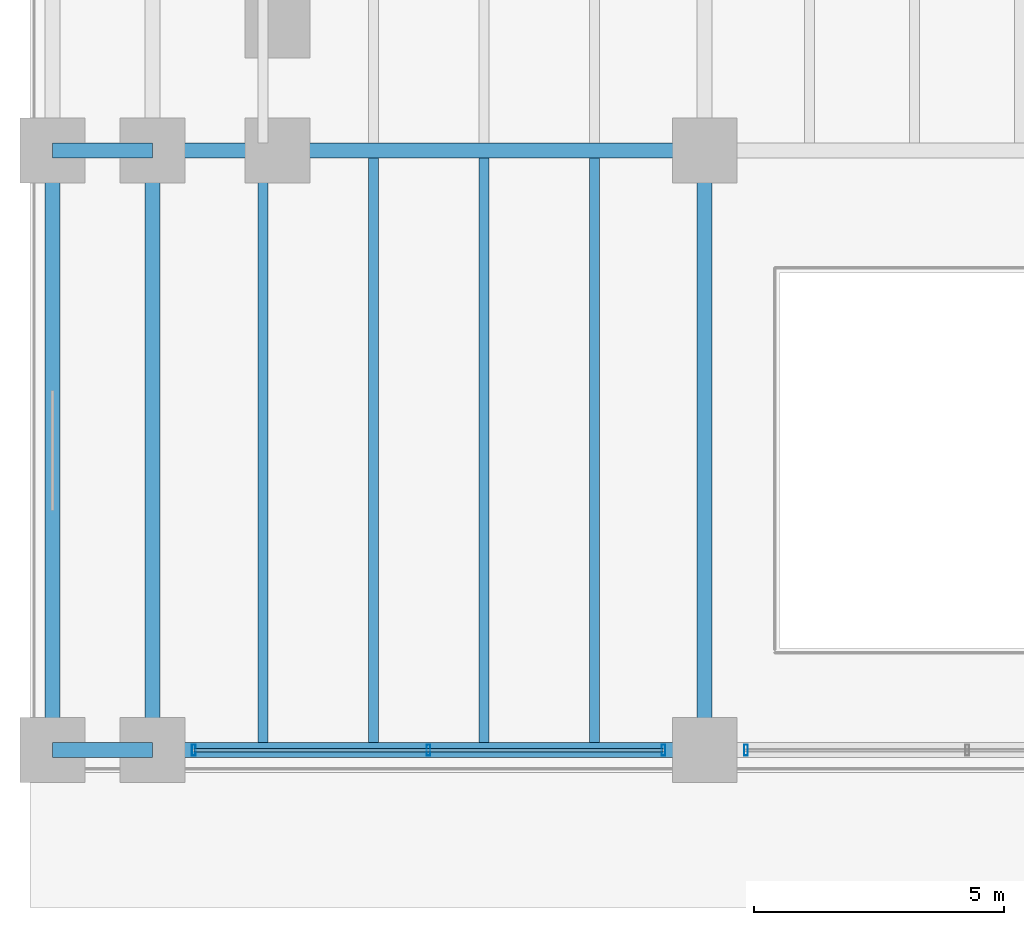
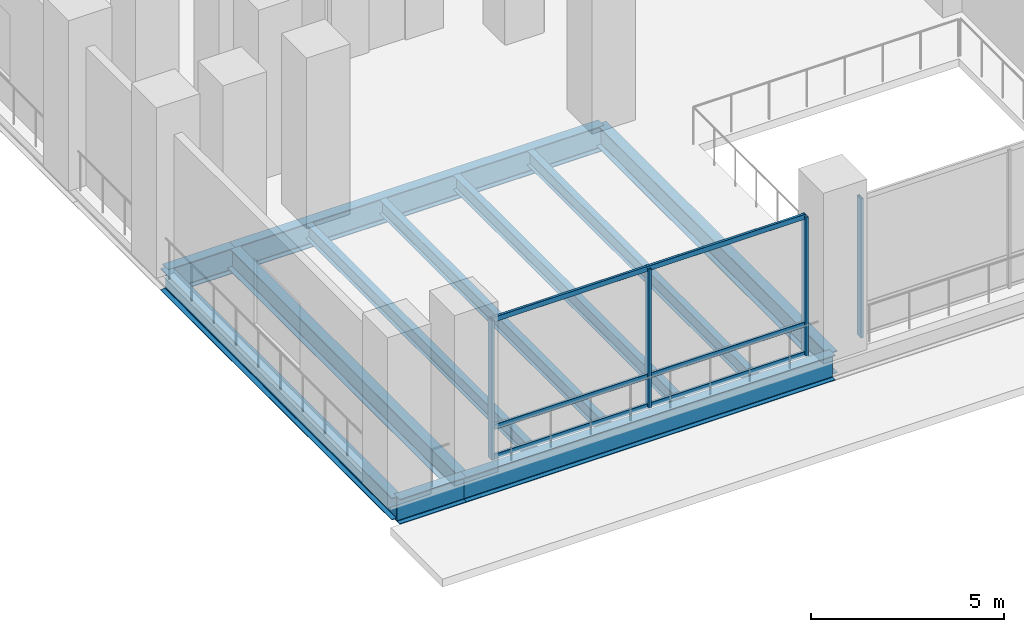
# One storey, part 4 of 32: 11 beams, 7 members, 2 elements without a shape of their own.
"""IFC4 building model written with IfcOpenShell, lengths in metres."""

import ifcopenshell
import ifcopenshell.guid

model = None  # the IFC model being written
_history = None  # IfcOwnerHistory: only IFC2X3 demands one
_inside = {}  # id of a spatial element -> (the spatial element, [elements in it])
_under = {}  # id of a project, library or spatial element -> (it, [spatial elements below it])
_declared = {}  # id of a project -> (the project, [libraries it declares])
_typed = {}  # id of a type object -> (the type object, [elements of that type])
_made_of = {}  # id of a material, layer set ... -> (it, [elements and type objects made of it])


def new_model(schema):
    """Start an empty IFC model of exactly this schema.

    Asked for "IFC4X3", IfcOpenShell would pick the latest addendum, in which some entities
    have other attributes; the version numbers below select the first issue.
    IFC2X3 requires an IfcOwnerHistory on every rooted entity: one is made here for all.
    """
    global model, _history
    if schema == "IFC4X3":
        model = ifcopenshell.file(schema_version=(4, 3, 0, 0))
    else:
        model = ifcopenshell.file(schema=schema)
    _inside.clear()
    _under.clear()
    _declared.clear()
    _typed.clear()
    _made_of.clear()
    _history = None
    if model.schema == "IFC2X3":
        org = make("IfcOrganization", Name="unknown")
        user = make(
            "IfcPersonAndOrganization",
            ThePerson=make("IfcPerson", FamilyName="unknown"),
            TheOrganization=org,
        )
        app = make(
            "IfcApplication",
            ApplicationDeveloper=org,
            Version="unknown",
            ApplicationFullName="unknown",
            ApplicationIdentifier="unknown",
        )
        _history = make(
            "IfcOwnerHistory",
            OwningUser=user,
            OwningApplication=app,
            ChangeAction="ADDED",
            CreationDate=0,
        )
    return model


def make(cls, **values):
    """One entity of the class cls with the attributes given. An attribute that is None is left unset."""
    return model.create_entity(
        cls, **{name: value for name, value in values.items() if value is not None}
    )


def rooted(cls, **values):
    """An entity with a GlobalId (a new one), such as an element, a storey or a relation."""
    return make(cls, GlobalId=ifcopenshell.guid.new(), OwnerHistory=_history, **values)


def si_unit(unit_type, name, prefix=None):
    """IfcSIUnit, for example si_unit("LENGTHUNIT", "METRE", prefix="MILLI")."""
    return make("IfcSIUnit", UnitType=unit_type, Prefix=prefix, Name=name)


def assignment(units):
    """IfcUnitAssignment: the units of a project."""
    return None if units is None else make("IfcUnitAssignment", Units=units)


def point(xyz):
    """IfcCartesianPoint."""
    return None if xyz is None else make("IfcCartesianPoint", Coordinates=xyz)


def direction(xyz):
    """IfcDirection."""
    return None if xyz is None else make("IfcDirection", DirectionRatios=xyz)


def frame(location, z_axis=None, x_axis=None):
    """IfcAxis2Placement3D, a coordinate frame: its origin and axes. An axis left out is left unset."""
    return make(
        "IfcAxis2Placement3D",
        Location=point(location),
        Axis=direction(z_axis),
        RefDirection=direction(x_axis),
    )


def frame_2d(location, x_axis=None):
    """IfcAxis2Placement2D, a coordinate frame in the plane: its origin and x axis."""
    return make(
        "IfcAxis2Placement2D", Location=point(location), RefDirection=direction(x_axis)
    )


def origin():
    """The frame at (0, 0, 0) with its axes left unset."""
    return frame((0.0, 0.0, 0.0))


def origin_2d():
    """The frame at (0, 0) in the plane with its x axis left unset."""
    return frame_2d((0.0, 0.0))


def place(relative_to, where):
    """IfcLocalPlacement: puts the frame where relative to a parent placement (None: the world)."""
    return make(
        "IfcLocalPlacement", PlacementRelTo=relative_to, RelativePlacement=where
    )


def context(
    kind, dimensions, precision=None, world=None, true_north=None, identifier=None
):
    """IfcGeometricRepresentationContext, for example the 3D "Model" context."""
    return make(
        "IfcGeometricRepresentationContext",
        ContextIdentifier=identifier,
        ContextType=kind,
        CoordinateSpaceDimension=dimensions,
        Precision=precision,
        WorldCoordinateSystem=world,
        TrueNorth=true_north,
    )


def subcontext(parent, identifier, kind, view, scale=None):
    """IfcGeometricRepresentationSubContext, for example "Body" below "Model"."""
    return make(
        "IfcGeometricRepresentationSubContext",
        ContextIdentifier=identifier,
        ContextType=kind,
        ParentContext=parent,
        TargetScale=scale,
        TargetView=view,
    )


def project(units=None, contexts=None):
    """IfcProject with its units and contexts."""
    return rooted(
        "IfcProject",
        Name="project",
        RepresentationContexts=contexts,
        UnitsInContext=assignment(units),
    )


def spatial(cls, under=None, at=None, **own):
    """A site, building, storey or space (cls), placed at a placement, below another one or the project."""
    s = rooted(cls, ObjectPlacement=at, **own)
    if under is not None:
        _under.setdefault(under.id(), (under, []))[1].append(s)
    return s


def profile(cls, at=None, kind="AREA", **sizes):
    """A parametric profile (cls). Its sizes go by their IFC names, for example OverallWidth=200.0."""
    return make(cls, ProfileType=kind, Position=at, **sizes)


def hollow_rectangle(**sizes):
    """IfcRectangleHollowProfileDef."""
    return profile("IfcRectangleHollowProfileDef", **sizes)


def i_section(**sizes):
    """IfcIShapeProfileDef."""
    return profile("IfcIShapeProfileDef", **sizes)


def extrude(swept, where, along, depth):
    """IfcExtrudedAreaSolid: the profile swept, set in the frame where, extruded along a direction by depth."""
    return make(
        "IfcExtrudedAreaSolid",
        SweptArea=swept,
        Position=where,
        ExtrudedDirection=direction(along),
        Depth=depth,
    )


def shape(context_of_items, identifier, shape_type, items):
    """IfcShapeRepresentation: the items that make up one representation, for example the "Body"."""
    return make(
        "IfcShapeRepresentation",
        ContextOfItems=context_of_items,
        RepresentationIdentifier=identifier,
        RepresentationType=shape_type,
        Items=items,
    )


def material(Name=None, Category=None):
    """IfcMaterial."""
    return make("IfcMaterial", Name=Name, Category=Category)


def material_profile(
    of_material, cross_section, Name=None, Category=None, Priority=None
):
    """IfcMaterialProfile: a cross section and its material."""
    return make(
        "IfcMaterialProfile",
        Name=Name,
        Material=of_material,
        Profile=cross_section,
        Priority=Priority,
        Category=Category,
    )


def profile_set(profiles, Name=None, composite=None):
    """IfcMaterialProfileSet."""
    return make(
        "IfcMaterialProfileSet",
        Name=Name,
        MaterialProfiles=profiles,
        CompositeProfile=composite,
    )


def made_of(thing, what):
    """Note that an element or type object is made of a material, layer set ...; save() writes the relation."""
    if what is not None:
        _made_of.setdefault(what.id(), (what, []))[1].append(thing)
    return thing


def type_object(cls, material=None, **own):
    """A type object (cls), such as IfcWallType, which elements share."""
    return made_of(rooted(cls, **own), material)


def element(
    cls,
    number,
    at=None,
    inside=None,
    cuts=None,
    type_object=None,
    material=None,
    context=None,
    identifier="Body",
    shape_type=None,
    held_by="IfcProductDefinitionShape",
    body=None,
    shapes=None,
    **own,
):
    """One element of the class cls, such as IfcWall. Its Tag is "e" and its number.

    at: its placement. inside: the storey or other place that contains it. cuts: it is an
    opening in that element (IfcRelVoidsElement). A single representation is given by context,
    identifier, shape_type and body (its items); several are given by shapes. held_by: the class
    of the entity that holds the representations. save() writes the other relations.
    """
    e = rooted(cls, Tag="e%d" % number, ObjectPlacement=at, **own)
    if body is not None:
        shapes = [shape(context, identifier, shape_type, body)]
    if shapes is not None:
        e.Representation = make(held_by, Representations=shapes)
    if inside is not None:
        _inside.setdefault(inside.id(), (inside, []))[1].append(e)
    if cuts is not None:
        rooted(
            "IfcRelVoidsElement", RelatingBuildingElement=cuts, RelatedOpeningElement=e
        )
    if type_object is not None:
        _typed.setdefault(type_object.id(), (type_object, []))[1].append(e)
    return made_of(e, material)


def aggregate(whole, parts):
    """IfcRelAggregates: a whole, such as a stair, and the parts it consists of."""
    return rooted("IfcRelAggregates", RelatingObject=whole, RelatedObjects=parts)


def save(model, path):
    """Write the relations noted so far, then the file.

    IfcRelAggregates (storeys below a building ...), IfcRelContainedInSpatialStructure (elements
    in a storey), IfcRelDefinesByType, IfcRelAssociatesMaterial and IfcRelDeclares: one each for
    every whole, place, type object, material and project.
    """
    for whole, parts in _under.values():
        aggregate(whole, parts)
    for where, things in _inside.values():
        rooted(
            "IfcRelContainedInSpatialStructure",
            RelatedElements=things,
            RelatingStructure=where,
        )
    for kind, things in _typed.values():
        rooted("IfcRelDefinesByType", RelatedObjects=things, RelatingType=kind)
    for what, things in _made_of.values():
        rooted("IfcRelAssociatesMaterial", RelatedObjects=things, RelatingMaterial=what)
    for by, libraries in _declared.values():
        rooted("IfcRelDeclares", RelatingContext=by, RelatedDefinitions=libraries)
    model.write(path)


model = new_model("IFC4")

# Units and contexts
model_context = context("Model", 3, precision=1e-05, world=origin(), true_north=direction((0.0, 1.0)))
body_context = subcontext(model_context, "Body", "Model", "MODEL_VIEW")
ifc_project = project(units=[si_unit("LENGTHUNIT", "METRE"), si_unit("AREAUNIT", "SQUARE_METRE"), si_unit("VOLUMEUNIT", "CUBIC_METRE"), si_unit("PLANEANGLEUNIT", "RADIAN"), si_unit("MASSUNIT", "GRAM", prefix="KILO")], contexts=[model_context])

# Site, building, storey
site_placement = place(None, origin())
site = spatial("IfcSite", under=ifc_project, at=site_placement, CompositionType="ELEMENT")
building_placement = place(site_placement, origin())
building = spatial("IfcBuilding", under=site, at=building_placement, Name="Noeulbin Bourse Tower", CompositionType="ELEMENT")
storey_placement = place(building_placement, frame((0.0, 0.0, 5.800048828125)))
storey = spatial("IfcBuildingStorey", under=building, at=storey_placement, Name="L02", CompositionType="ELEMENT", Elevation=5.800048828125)

# Beams
ifc_material_1 = material(Name="Steel S355", Category="steel")
ifc_material_profile_1 = material_profile(ifc_material_1, i_section(OverallWidth=0.300048828125, OverallDepth=0.699951171875, WebThickness=0.012939453125, FlangeThickness=0.02392578125, FilletRadius=0.02392578125, at=origin_2d()), Name="H-700x300x13x24", Category="LoadBearing")
ifc_profile_set_1 = profile_set([ifc_material_profile_1], Name="Steel S355")
beam_type_1 = type_object("IfcBeamType", Name="BM-GRD-700", PredefinedType="USERDEFINED", material=ifc_profile_set_1)
for number, where, z_axis, x_axis, name in (
    (1, (0.449951171875, 3.449951171875, -0.60009765625), (0.0, 1.0, 0.0), (-1.0, 0.0, 0.0), "Podium Primary Girder NS L02-057"),
    (2, (2.449951171875, 3.449951171875, -0.60009765625), (0.0, 1.0, 0.0), (-1.0, 0.0, 0.0), "Podium Primary Girder NS L02-063"),
    (3, (13.5, 3.449951171875, -0.60009765625), (0.0, 1.0, 0.0), (-1.0, 0.0, 0.0), "Podium Primary Girder NS L02-069"),
):
    element("IfcBeam", number, at=place(storey_placement, frame(where, z_axis=z_axis, x_axis=x_axis)), inside=storey, type_object=beam_type_1, Name=name, ObjectType="GIRDER", PredefinedType="USERDEFINED", context=body_context, shape_type="SweptSolid", body=[
        extrude(i_section(OverallWidth=0.300048828125, OverallDepth=0.699951171875, WebThickness=0.012939453125, FlangeThickness=0.02392578125, FilletRadius=0.02392578125, at=origin_2d()), origin(), (0.0, 0.0, 1.0), 12.0),
    ])
ifc_material_profile_2 = material_profile(ifc_material_1, i_section(OverallWidth=0.300048828125, OverallDepth=0.800048828125, WebThickness=0.013916015625, FlangeThickness=0.02587890625, FilletRadius=0.02587890625, at=origin_2d()), Name="H-800x300x14x26", Category="LoadBearing")
ifc_profile_set_2 = profile_set([ifc_material_profile_2], Name="Steel S355")
beam_type_2 = type_object("IfcBeamType", Name="BM-GRD-800", PredefinedType="USERDEFINED", material=ifc_profile_set_2)
beam_1_placement = place(storey_placement, frame((0.449951171875, 3.449951171875, -0.650146484375), z_axis=(1.0, 0.0, 0.0), x_axis=(0.0, 1.0, 0.0)))
element("IfcBeam", 4, at=beam_1_placement, inside=storey, type_object=beam_type_2, Name="Podium Primary Girder EW L02-001", ObjectType="GIRDER", PredefinedType="USERDEFINED", context=body_context, shape_type="SweptSolid", body=[
    extrude(i_section(OverallWidth=0.300048828125, OverallDepth=0.800048828125, WebThickness=0.013916015625, FlangeThickness=0.02587890625, FilletRadius=0.02587890625, at=origin_2d()), origin(), (0.0, 0.0, 1.0), 2.0),
])
beam_2_placement = place(storey_placement, frame((2.449951171875, 3.449951171875, -0.650146484375), z_axis=(1.0, 0.0, 0.0), x_axis=(0.0, 1.0, 0.0)))
element("IfcBeam", 5, at=beam_2_placement, inside=storey, type_object=beam_type_2, Name="Podium Primary Girder EW L02-002", ObjectType="GIRDER", PredefinedType="USERDEFINED", context=body_context, shape_type="SweptSolid", body=[
    extrude(i_section(OverallWidth=0.300048828125, OverallDepth=0.800048828125, WebThickness=0.013916015625, FlangeThickness=0.02587890625, FilletRadius=0.02587890625, at=origin_2d()), origin(), (0.0, 0.0, 1.0), 11.050048828125),
])
beam_3_placement = place(storey_placement, frame((0.449951171875, 15.449951171875, -0.650146484375), z_axis=(1.0, 0.0, 0.0), x_axis=(0.0, 1.0, 0.0)))
element("IfcBeam", 6, at=beam_3_placement, inside=storey, type_object=beam_type_2, Name="Podium Primary Girder EW L02-009", ObjectType="GIRDER", PredefinedType="USERDEFINED", context=body_context, shape_type="SweptSolid", body=[
    extrude(i_section(OverallWidth=0.300048828125, OverallDepth=0.800048828125, WebThickness=0.013916015625, FlangeThickness=0.02587890625, FilletRadius=0.02587890625, at=origin_2d()), origin(), (0.0, 0.0, 1.0), 2.0),
])
beam_4_placement = place(storey_placement, frame((2.449951171875, 15.449951171875, -0.650146484375), z_axis=(1.0, 0.0, 0.0), x_axis=(0.0, 1.0, 0.0)))
element("IfcBeam", 7, at=beam_4_placement, inside=storey, type_object=beam_type_2, Name="Podium Primary Girder EW L02-010", ObjectType="GIRDER", PredefinedType="USERDEFINED", context=body_context, shape_type="SweptSolid", body=[
    extrude(i_section(OverallWidth=0.300048828125, OverallDepth=0.800048828125, WebThickness=0.013916015625, FlangeThickness=0.02587890625, FilletRadius=0.02587890625, at=origin_2d()), origin(), (0.0, 0.0, 1.0), 11.050048828125),
])
ifc_material_profile_3 = material_profile(ifc_material_1, i_section(OverallWidth=0.199951171875, OverallDepth=0.449951171875, WebThickness=0.009033203125, FlangeThickness=0.013916015625, FilletRadius=0.01806640625, at=origin_2d()), Name="H-450x200x9x14", Category="LoadBearing")
ifc_profile_set_3 = profile_set([ifc_material_profile_3], Name="Steel S355")
beam_type_3 = type_object("IfcBeamType", Name="BM-SEC-450", PredefinedType="BEAM", material=ifc_profile_set_3)
for number, where, z_axis, x_axis, name in (
    (8, (4.659912109375, 3.60009765625, -0.47509765625), (0.0, 1.0, 0.0), (-1.0, 0.0, 0.0), "Podium Secondary Beam L02-001"),
    (9, (6.8701171875, 3.60009765625, -0.47509765625), (0.0, 1.0, 0.0), (-1.0, 0.0, 0.0), "Podium Secondary Beam L02-007"),
    (10, (9.080078125, 3.60009765625, -0.47509765625), (0.0, 1.0, 0.0), (-1.0, 0.0, 0.0), "Podium Secondary Beam L02-013"),
    (11, (11.2900390625, 3.60009765625, -0.47509765625), (0.0, 1.0, 0.0), (-1.0, 0.0, 0.0), "Podium Secondary Beam L02-018"),
):
    element("IfcBeam", number, at=place(storey_placement, frame(where, z_axis=z_axis, x_axis=x_axis)), inside=storey, type_object=beam_type_3, Name=name, PredefinedType="BEAM", context=body_context, shape_type="SweptSolid", body=[
        extrude(i_section(OverallWidth=0.199951171875, OverallDepth=0.449951171875, WebThickness=0.009033203125, FlangeThickness=0.013916015625, FilletRadius=0.01806640625, at=origin_2d()), origin(), (0.0, 0.0, 1.0), 11.699951171875),
    ])

# Curtain wall, members
ifc_material_2 = material(Name="Laminated Clear Low-E Glass", Category="glass")
curtain_wall_type = type_object("IfcCurtainWallType", Name="CW-SYS-1", PredefinedType="NOTDEFINED", material=ifc_material_2)
curtain_wall_1_placement = place(storey_placement, origin())
curtain_wall_1 = element("IfcCurtainWall", 12, at=curtain_wall_1_placement, inside=storey, type_object=curtain_wall_type, Name="Unitised Curtain Wall CW-L02-POD-S-S1", PredefinedType="NOTDEFINED")
ifc_material_3 = material(Name="Anodised Aluminium 6063-T6", Category="aluminium")
ifc_material_profile_4 = material_profile(ifc_material_3, hollow_rectangle(XDim=0.074951171875, YDim=0.219970703125, WallThickness=0.0048828125, InnerFilletRadius=0.00244140625, OuterFilletRadius=0.0048828125, at=origin_2d()), Name="ALU-MULL-75x220x5", Category="LoadBearing")
ifc_profile_set_4 = profile_set([ifc_material_profile_4], Name="Anodised Aluminium 6063-T6")
member_type_1 = type_object("IfcMemberType", Name="CW-SYS-1-MUL", PredefinedType="MULLION", material=ifc_profile_set_4)
member_1_placement = place(storey_placement, frame((3.27490234375, 3.449951171875, -0.02001953125), z_axis=(0.0, 0.0, 1.0), x_axis=(1.0, 0.0, 0.0)))
member_1 = element("IfcMember", 13, at=member_1_placement, type_object=member_type_1, Name="Curtain Wall Mullion CW-L02-POD-S-S1-M00", PredefinedType="MULLION", context=body_context, shape_type="SweptSolid", body=[
    extrude(hollow_rectangle(XDim=0.074951171875, YDim=0.219970703125, WallThickness=0.0048828125, InnerFilletRadius=0.00244140625, OuterFilletRadius=0.0048828125, at=origin_2d()), origin(), (0.0, 0.0, 1.0), 4.409912109375),
])
member_2_placement = place(storey_placement, frame((7.97509765625, 3.449951171875, -0.02001953125), z_axis=(0.0, 0.0, 1.0), x_axis=(1.0, 0.0, 0.0)))
member_2 = element("IfcMember", 14, at=member_2_placement, type_object=member_type_1, Name="Curtain Wall Mullion CW-L02-POD-S-S1-M01", PredefinedType="MULLION", context=body_context, shape_type="SweptSolid", body=[
    extrude(hollow_rectangle(XDim=0.074951171875, YDim=0.219970703125, WallThickness=0.0048828125, InnerFilletRadius=0.00244140625, OuterFilletRadius=0.0048828125, at=origin_2d()), origin(), (0.0, 0.0, 1.0), 4.409912109375),
])
member_3_placement = place(storey_placement, frame((12.675048828125, 3.449951171875, -0.02001953125), z_axis=(0.0, 0.0, 1.0), x_axis=(1.0, 0.0, 0.0)))
member_3 = element("IfcMember", 15, at=member_3_placement, type_object=member_type_1, Name="Curtain Wall Mullion CW-L02-POD-S-S1-M02", PredefinedType="MULLION", context=body_context, shape_type="SweptSolid", body=[
    extrude(hollow_rectangle(XDim=0.074951171875, YDim=0.219970703125, WallThickness=0.0048828125, InnerFilletRadius=0.00244140625, OuterFilletRadius=0.0048828125, at=origin_2d()), origin(), (0.0, 0.0, 1.0), 4.409912109375),
])

# Curtain wall, member
curtain_wall_2_placement = place(storey_placement, origin())
curtain_wall_2 = element("IfcCurtainWall", 16, at=curtain_wall_2_placement, inside=storey, type_object=curtain_wall_type, Name="Unitised Curtain Wall CW-L02-POD-S-S2", PredefinedType="NOTDEFINED")
member_4_placement = place(storey_placement, frame((14.324951171875, 3.449951171875, -0.02001953125), z_axis=(0.0, 0.0, 1.0), x_axis=(1.0, 0.0, 0.0)))
member_4 = element("IfcMember", 17, at=member_4_placement, type_object=member_type_1, Name="Curtain Wall Mullion CW-L02-POD-S-S2-M00", PredefinedType="MULLION", context=body_context, shape_type="SweptSolid", body=[
    extrude(hollow_rectangle(XDim=0.074951171875, YDim=0.219970703125, WallThickness=0.0048828125, InnerFilletRadius=0.00244140625, OuterFilletRadius=0.0048828125, at=origin_2d()), origin(), (0.0, 0.0, 1.0), 4.409912109375),
])
aggregate(curtain_wall_2, [member_4])

# Member
ifc_material_profile_5 = material_profile(ifc_material_3, hollow_rectangle(XDim=0.074951171875, YDim=0.159912109375, WallThickness=0.0048828125, InnerFilletRadius=0.00244140625, OuterFilletRadius=0.0048828125, at=origin_2d()), Name="ALU-TRAN-75x160x5", Category="LoadBearing")
ifc_profile_set_5 = profile_set([ifc_material_profile_5], Name="Anodised Aluminium 6063-T6")
member_type_2 = type_object("IfcMemberType", Name="CW-SYS-1-TRN", PredefinedType="USERDEFINED", material=ifc_profile_set_5)
member_5_placement = place(storey_placement, frame((3.284912109375, 3.449951171875, 0.010009765625), z_axis=(1.0, 0.0, 0.0), x_axis=(0.0, 1.0, 0.0)))
member_5 = element("IfcMember", 18, at=member_5_placement, type_object=member_type_2, Name="Curtain Wall Transom CW-L02-POD-S-S1-T00", ObjectType="TRANSOM", PredefinedType="USERDEFINED", context=body_context, shape_type="SweptSolid", body=[
    extrude(hollow_rectangle(XDim=0.074951171875, YDim=0.159912109375, WallThickness=0.0048828125, InnerFilletRadius=0.00244140625, OuterFilletRadius=0.0048828125, at=origin_2d()), origin(), (0.0, 0.0, 1.0), 9.380126953125),
])

member_6_placement = place(storey_placement, frame((3.284912109375, 3.449951171875, 0.949951171875), z_axis=(1.0, 0.0, 0.0), x_axis=(0.0, 1.0, 0.0)))
member_6 = element("IfcMember", 19, at=member_6_placement, type_object=member_type_2, Name="Curtain Wall Transom CW-L02-POD-S-S1-T01", ObjectType="TRANSOM", PredefinedType="USERDEFINED", context=body_context, shape_type="SweptSolid", body=[
    extrude(hollow_rectangle(XDim=0.074951171875, YDim=0.159912109375, WallThickness=0.0048828125, InnerFilletRadius=0.00244140625, OuterFilletRadius=0.0048828125, at=origin_2d()), origin(), (0.0, 0.0, 1.0), 9.380126953125),
])

member_7_placement = place(storey_placement, frame((3.284912109375, 3.449951171875, 4.35986328125), z_axis=(1.0, 0.0, 0.0), x_axis=(0.0, 1.0, 0.0)))
member_7 = element("IfcMember", 20, at=member_7_placement, type_object=member_type_2, Name="Curtain Wall Transom CW-L02-POD-S-S1-T02", ObjectType="TRANSOM", PredefinedType="USERDEFINED", context=body_context, shape_type="SweptSolid", body=[
    extrude(hollow_rectangle(XDim=0.074951171875, YDim=0.159912109375, WallThickness=0.0048828125, InnerFilletRadius=0.00244140625, OuterFilletRadius=0.0048828125, at=origin_2d()), origin(), (0.0, 0.0, 1.0), 9.380126953125),
])

aggregate(curtain_wall_1, [member_1, member_2, member_3, member_5, member_6, member_7])

save(model, "model.ifc")
